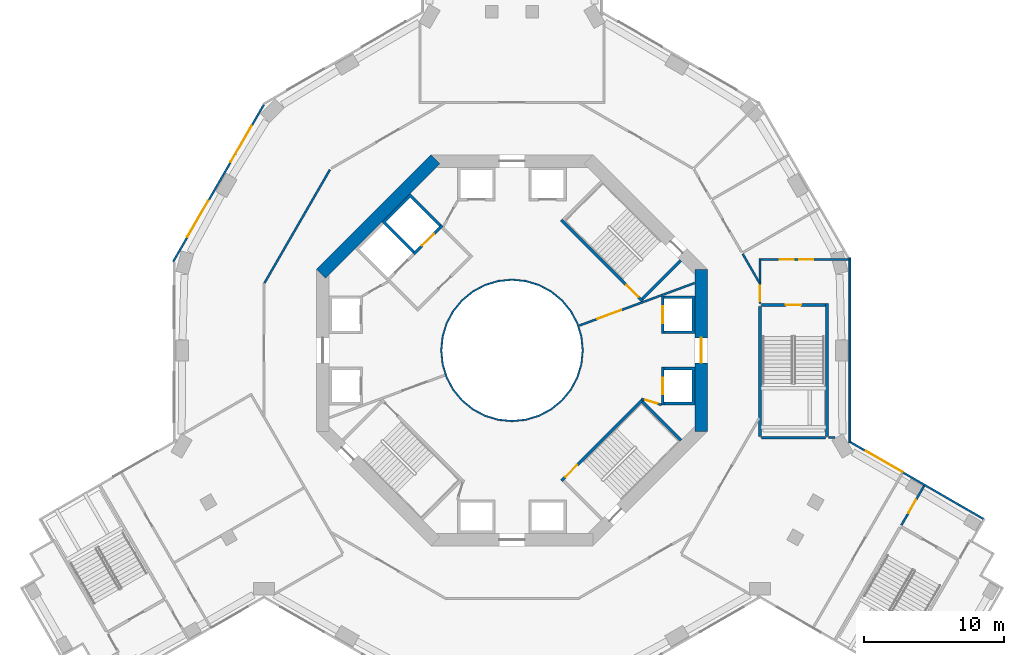
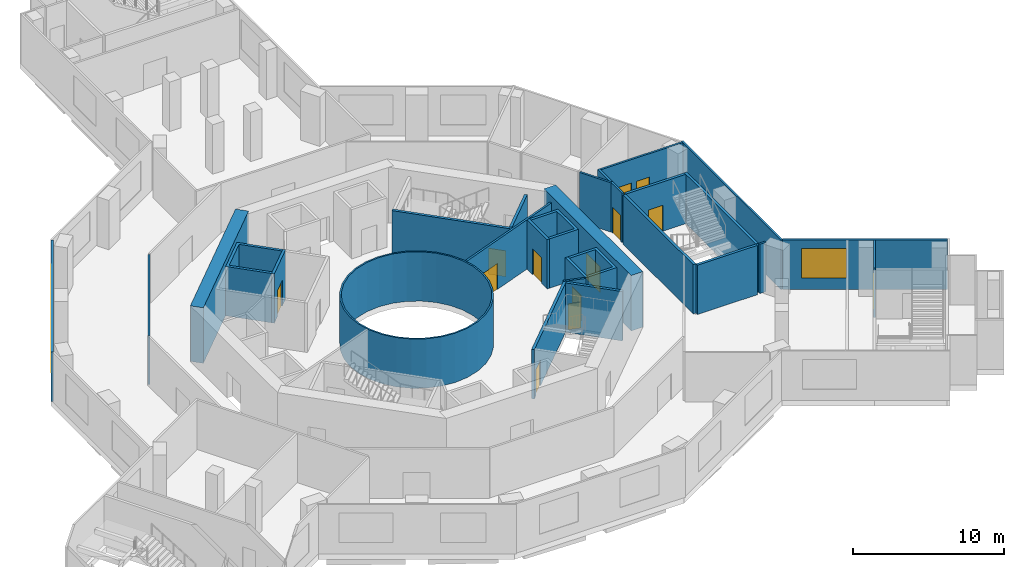
# One storey, part 5 of 20: 28 walls, 13 doors, 3 windows, 16 openings.
"""IFC4 building model written with IfcOpenShell, lengths in metres."""

from ifc_helpers import new_model, si_unit, direction, frame, frame_2d, origin, place, context, subcontext, project, spatial, polyline, rectangle, outline, extrude, material, layer, layer_set, type_object, element, fill, save


model = new_model("IFC4")

# Units and contexts
model_context = context("Model", 3, precision=1e-05, world=origin(), true_north=direction((0.0, 1.0)))
body_context = subcontext(model_context, "Body", "Model", "MODEL_VIEW")
ifc_project = project(units=[si_unit("LENGTHUNIT", "METRE"), si_unit("AREAUNIT", "SQUARE_METRE"), si_unit("VOLUMEUNIT", "CUBIC_METRE"), si_unit("PLANEANGLEUNIT", "RADIAN"), si_unit("MASSUNIT", "GRAM", prefix="KILO")], contexts=[model_context])

# Site, building, storey
site_placement = place(None, origin())
site = spatial("IfcSite", under=ifc_project, at=site_placement, CompositionType="ELEMENT")
building_placement = place(site_placement, origin())
building = spatial("IfcBuilding", under=site, at=building_placement, Name="Verdalira Terraces Hotel", CompositionType="ELEMENT")
storey_placement = place(building_placement, frame((0.0, 0.0, 23.5)))
storey = spatial("IfcBuildingStorey", under=building, at=storey_placement, Name="L04", CompositionType="ELEMENT", Elevation=23.5)

# Walls
ifc_material_1 = material(Name="Fire-resisting glass EI 180", Category="glass")
ifc_layer_1 = layer(ifc_material_1, 0.1201171875)
ifc_layer_set_1 = layer_set([ifc_layer_1], Name="Atrium fire screen 120 mm")
wall_type_1 = type_object("IfcWallType", Name="Atrium fire screen 120 mm", PredefinedType="SOLIDWALL", material=ifc_layer_set_1)
wall_1_placement = place(storey_placement, origin())
element("IfcWall", 1, at=wall_1_placement, inside=storey, type_object=wall_type_1, Name="Atrium fire screen", PredefinedType="SOLIDWALL", context=body_context, shape_type="SweptSolid", body=[
    extrude(outline(polyline([(5.021484, -0.998779), (4.730225, -1.959229), (4.25708, -2.844482), (3.620361, -3.620361), (2.844482, -4.25708), (1.959229, -4.730225), (0.998779, -5.021484), (0.0, -5.120117), (-0.998779, -5.021484), (-1.959229, -4.730225), (-2.844482, -4.25708), (-3.620361, -3.620361), (-4.25708, -2.844482), (-4.730225, -1.959229), (-5.021484, -0.998779), (-5.120117, 0.0), (-5.021484, 0.998779), (-4.730225, 1.959229), (-4.25708, 2.844482), (-3.620361, 3.620361), (-2.844482, 4.25708), (-1.959229, 4.730225), (-0.998779, 5.021484), (0.0, 5.120117), (0.998779, 5.021484), (1.959229, 4.730225), (2.844482, 4.25708), (3.620361, 3.620361), (4.25708, 2.844482), (4.730225, 1.959229), (5.021484, 0.998779), (5.120117, 0.0), (5.021484, -0.998779)]), holes=[polyline([(4.903809, 0.975586), (4.619385, 1.91333), (4.157227, 2.777832), (3.5354, 3.5354), (2.777832, 4.157227), (1.91333, 4.619385), (0.975586, 4.903809), (0.0, 5.0), (-0.975586, 4.903809), (-1.91333, 4.619385), (-2.777832, 4.157227), (-3.5354, 3.5354), (-4.157227, 2.777832), (-4.619385, 1.91333), (-4.903809, 0.975586), (-5.0, 0.0), (-4.903809, -0.975586), (-4.619385, -1.91333), (-4.157227, -2.777832), (-3.5354, -3.5354), (-2.777832, -4.157227), (-1.91333, -4.619385), (-0.975586, -4.903809), (0.0, -5.0), (0.975586, -4.903809), (1.91333, -4.619385), (2.777832, -4.157227), (3.5354, -3.5354), (4.157227, -2.777832), (4.619385, -1.91333), (4.903809, -0.975586), (5.0, 0.0), (4.903809, 0.975586)])]), origin(), (0.0, 0.0, 1.0), 4.0),
])
ifc_material_2 = material(Name="Concrete C50", Category="concrete")
ifc_layer_2 = layer(ifc_material_2, 0.199951171875)
ifc_layer_set_2 = layer_set([ifc_layer_2], Name="Core RC wall 200 C50")
wall_type_2 = type_object("IfcWallType", Name="Core RC wall 200 C50", PredefinedType="SOLIDWALL", material=ifc_layer_set_2)
wall_2_placement = place(storey_placement, origin())
element("IfcWall", 2, at=wall_2_placement, inside=storey, type_object=wall_type_2, Name="L04 shaft wall E1", PredefinedType="SOLIDWALL", context=body_context, shape_type="SweptSolid", body=[
    extrude(outline(polyline([(13.100098, -3.899902), (10.899902, -3.899902), (10.899902, -3.699951), (12.899902, -3.699951), (12.899902, -1.399902), (10.899902, -1.399902), (10.899902, -1.199951), (13.100098, -1.199951), (13.100098, -3.899902)])), origin(), (0.0, 0.0, 1.0), 4.0),
])

# Wall, opening, door
wall_3_placement = place(storey_placement, frame((10.800049, -1.199951, 0.0), z_axis=(0.0, 0.0, 1.0), x_axis=(0.0, -1.0, 0.0)))
wall_3 = element("IfcWall", 3, at=wall_3_placement, inside=storey, type_object=wall_type_2, Name="L04 shaft front wall E1", PredefinedType="SOLIDWALL", context=body_context, shape_type="SweptSolid", body=[
    extrude(rectangle(XDim=2.699951, YDim=0.199951, at=frame_2d((1.350098, 0.0))), origin(), (0.0, 0.0, 1.0), 4.0),
])
opening_1_placement = place(wall_3_placement, frame((0.75, 0.0, 0.0)))
opening_1 = element("IfcOpeningElement", 4, at=opening_1_placement, cuts=wall_3, Name="Opening LD-L04-801", PredefinedType="OPENING", context=body_context, shape_type="SweptSolid", body=[
    extrude(rectangle(XDim=1.199951, YDim=2.100098, at=frame_2d((0.600098, 1.050049))), frame((0.0, 0.109863, 0.0), z_axis=(0.0, -1.0, 0.0), x_axis=(1.0, 0.0, 0.0)), (0.0, 0.0, 1.0), 0.219971),
])
ifc_material_3 = material(Name="Stainless steel", Category="steel")
door_type_1 = type_object("IfcDoorType", Name="Landing door 1200 x 2100", OperationType="NOTDEFINED", PredefinedType="DOOR", material=ifc_material_3)
door_1_placement = place(opening_1_placement, origin())
door_1 = element("IfcDoor", 5, at=door_1_placement, inside=storey, type_object=door_type_1, Name="Lift landing door LR1 L04", OperationType="DOUBLE_DOOR_SLIDING", OverallHeight=2.10009765625, OverallWidth=1.199951171875, PredefinedType="DOOR", context=body_context, shape_type="SweptSolid", body=[
    extrude(rectangle(XDim=1.199951, YDim=2.100098, at=frame_2d((0.600098, 1.050049))), frame((0.0, 0.024902, 0.0), z_axis=(0.0, -1.0, 0.0), x_axis=(1.0, 0.0, 0.0)), (0.0, 0.0, 1.0), 0.050049),
])
fill(opening_1, door_1)

# Wall
wall_4_placement = place(storey_placement, origin())
element("IfcWall", 6, at=wall_4_placement, inside=storey, type_object=wall_type_2, Name="L04 shaft wall E2", PredefinedType="SOLIDWALL", context=body_context, shape_type="SweptSolid", body=[
    extrude(outline(polyline([(13.100098, 3.899902), (13.100098, 1.199951), (10.899902, 1.199951), (10.899902, 1.399902), (12.899902, 1.399902), (12.899902, 3.699951), (10.899902, 3.699951), (10.899902, 3.899902), (13.100098, 3.899902)])), origin(), (0.0, 0.0, 1.0), 4.0),
])

# Wall, opening, door
wall_5_placement = place(storey_placement, frame((10.800049, 1.199951, 0.0), z_axis=(0.0, 0.0, 1.0), x_axis=(0.0, 1.0, 0.0)))
wall_5 = element("IfcWall", 7, at=wall_5_placement, inside=storey, type_object=wall_type_2, Name="L04 shaft front wall E2", PredefinedType="SOLIDWALL", context=body_context, shape_type="SweptSolid", body=[
    extrude(rectangle(XDim=2.699951, YDim=0.199951, at=frame_2d((1.350098, 0.0))), origin(), (0.0, 0.0, 1.0), 4.0),
])
opening_2_placement = place(wall_5_placement, frame((0.75, 0.0, 0.0)))
opening_2 = element("IfcOpeningElement", 8, at=opening_2_placement, cuts=wall_5, Name="Opening LD-L04-802", PredefinedType="OPENING", context=body_context, shape_type="SweptSolid", body=[
    extrude(rectangle(XDim=1.199951, YDim=2.100098, at=frame_2d((0.600098, 1.050049))), frame((0.0, 0.109863, 0.0), z_axis=(0.0, -1.0, 0.0), x_axis=(1.0, 0.0, 0.0)), (0.0, 0.0, 1.0), 0.219971),
])
door_2_placement = place(opening_2_placement, origin())
door_2 = element("IfcDoor", 9, at=door_2_placement, inside=storey, type_object=door_type_1, Name="Lift landing door LR2 L04", OperationType="DOUBLE_DOOR_SLIDING", OverallHeight=2.10009765625, OverallWidth=1.199951171875, PredefinedType="DOOR", context=body_context, shape_type="SweptSolid", body=[
    extrude(rectangle(XDim=1.199951, YDim=2.100098, at=frame_2d((0.600098, 1.050049))), frame((0.0, 0.024902, 0.0), z_axis=(0.0, -1.0, 0.0), x_axis=(1.0, 0.0, 0.0)), (0.0, 0.0, 1.0), 0.050049),
])
fill(opening_2, door_2)

# Wall
wall_6_placement = place(storey_placement, origin())
element("IfcWall", 10, at=wall_6_placement, inside=storey, type_object=wall_type_2, Name="L04 shaft wall F1", PredefinedType="SOLIDWALL", context=body_context, shape_type="SweptSolid", body=[
    extrude(outline(polyline([(-9.33374, 9.192383), (-7.283203, 11.24292), (-5.055908, 9.015625), (-5.197266, 8.874268), (-7.283203, 10.960205), (-9.051025, 9.192383), (-6.965088, 7.106445), (-7.106445, 6.965088), (-9.33374, 9.192383)])), origin(), (0.0, 0.0, 1.0), 4.0),
])

# Wall, opening, door
wall_7_placement = place(storey_placement, frame((-4.985107, 8.944824, 0.0), z_axis=(0.0, 0.0, 1.0), x_axis=(-0.707106781, -0.707106781, 0.0)))
wall_7 = element("IfcWall", 11, at=wall_7_placement, inside=storey, type_object=wall_type_2, Name="L04 shaft front wall F1", PredefinedType="SOLIDWALL", context=body_context, shape_type="SweptSolid", body=[
    extrude(rectangle(XDim=2.899902, YDim=0.199951, at=frame_2d((1.449951, 0.0))), origin(), (0.0, 0.0, 1.0), 4.0),
])
opening_3_placement = place(wall_7_placement, frame((0.850098, 0.0, 0.0)))
opening_3 = element("IfcOpeningElement", 12, at=opening_3_placement, cuts=wall_7, Name="Opening LD-L04-807", PredefinedType="OPENING", context=body_context, shape_type="SweptSolid", body=[
    extrude(rectangle(XDim=1.199951, YDim=2.100098, at=frame_2d((0.600098, 1.050049))), frame((0.0, 0.109863, 0.0), z_axis=(0.0, -1.0, 0.0), x_axis=(1.0, 0.0, 0.0)), (0.0, 0.0, 1.0), 0.219971),
])
door_3_placement = place(opening_3_placement, origin())
door_3 = element("IfcDoor", 13, at=door_3_placement, inside=storey, type_object=door_type_1, Name="Lift landing door LF11 L04", OperationType="DOUBLE_DOOR_SLIDING", OverallHeight=2.10009765625, OverallWidth=1.199951171875, PredefinedType="DOOR", context=body_context, shape_type="SweptSolid", body=[
    extrude(rectangle(XDim=1.199951, YDim=2.100098, at=frame_2d((0.600098, 1.050049))), frame((0.0, 0.024902, 0.0), z_axis=(0.0, -1.0, 0.0), x_axis=(1.0, 0.0, 0.0)), (0.0, 0.0, 1.0), 0.050049),
])
fill(opening_3, door_3)

wall_8_placement = place(storey_placement, frame((3.5354, 9.33374, 0.0), z_axis=(0.0, 0.0, 1.0), x_axis=(0.707106781, -0.707106781, 0.0)))
wall_8 = element("IfcWall", 14, at=wall_8_placement, inside=storey, type_object=wall_type_2, Name="L04 stair ST1 front wall", PredefinedType="SOLIDWALL", context=body_context, shape_type="SweptSolid", body=[
    extrude(rectangle(XDim=8.200195, YDim=0.199951, at=frame_2d((4.100098, 0.0))), origin(), (0.0, 0.0, 1.0), 4.0),
])
opening_4_placement = place(wall_8_placement, frame((6.600098, 0.0, 0.0)))
opening_4 = element("IfcOpeningElement", 15, at=opening_4_placement, cuts=wall_8, Name="Opening L04-809", PredefinedType="OPENING", context=body_context, shape_type="SweptSolid", body=[
    extrude(rectangle(XDim=1.199951, YDim=2.100098, at=frame_2d((0.600098, 1.050049))), frame((0.0, 0.109863, 0.0), z_axis=(0.0, -1.0, 0.0), x_axis=(1.0, 0.0, 0.0)), (0.0, 0.0, 1.0), 0.219971),
])
ifc_material_4 = material(Name="Steel fire door", Category="steel")
door_type_2 = type_object("IfcDoorType", Name="Stair door 1200 x 2100", OperationType="NOTDEFINED", PredefinedType="DOOR", material=ifc_material_4)
door_4_placement = place(opening_4_placement, origin())
door_4 = element("IfcDoor", 16, at=door_4_placement, inside=storey, type_object=door_type_2, Name="Stair door ST1 L04", OperationType="SINGLE_SWING_RIGHT", OverallHeight=2.10009765625, OverallWidth=1.199951171875, PredefinedType="DOOR", context=body_context, shape_type="SweptSolid", body=[
    extrude(rectangle(XDim=1.199951, YDim=2.100098, at=frame_2d((0.600098, 1.050049))), frame((0.0, 0.024902, 0.0), z_axis=(0.0, -1.0, 0.0), x_axis=(1.0, 0.0, 0.0)), (0.0, 0.0, 1.0), 0.050049),
])
fill(opening_4, door_4)

# Wall
wall_9_placement = place(storey_placement, frame((9.33374, 3.677002, 0.0), z_axis=(0.0, 0.0, 1.0), x_axis=(0.707106781, 0.707106781, 0.0)))
element("IfcWall", 17, at=wall_9_placement, inside=storey, type_object=wall_type_2, Name="L04 stair ST1 end wall 1", PredefinedType="SOLIDWALL", context=body_context, shape_type="SweptSolid", body=[
    extrude(rectangle(XDim=3.900146, YDim=0.199951, at=frame_2d((1.950195, 0.0))), origin(), (0.0, 0.0, 1.0), 4.0),
])

# Wall, opening, door
wall_10_placement = place(storey_placement, frame((9.33374, -3.5354, 0.0), z_axis=(0.0, 0.0, 1.0), x_axis=(-0.707106781, -0.707106781, 0.0)))
wall_10 = element("IfcWall", 18, at=wall_10_placement, inside=storey, type_object=wall_type_2, Name="L04 stair ST3 front wall", PredefinedType="SOLIDWALL", context=body_context, shape_type="SweptSolid", body=[
    extrude(rectangle(XDim=8.200195, YDim=0.199951, at=frame_2d((4.100098, 0.0))), origin(), (0.0, 0.0, 1.0), 4.0),
])
opening_5_placement = place(wall_10_placement, frame((6.600098, 0.0, 0.0)))
opening_5 = element("IfcOpeningElement", 19, at=opening_5_placement, cuts=wall_10, Name="Opening L04-811", PredefinedType="OPENING", context=body_context, shape_type="SweptSolid", body=[
    extrude(rectangle(XDim=1.199951, YDim=2.100098, at=frame_2d((0.600098, 1.050049))), frame((0.0, 0.109863, 0.0), z_axis=(0.0, -1.0, 0.0), x_axis=(1.0, 0.0, 0.0)), (0.0, 0.0, 1.0), 0.219971),
])
door_5_placement = place(opening_5_placement, origin())
door_5 = element("IfcDoor", 20, at=door_5_placement, inside=storey, type_object=door_type_2, Name="Stair door ST3 L04", OperationType="SINGLE_SWING_RIGHT", OverallHeight=2.10009765625, OverallWidth=1.199951171875, PredefinedType="DOOR", context=body_context, shape_type="SweptSolid", body=[
    extrude(rectangle(XDim=1.199951, YDim=2.100098, at=frame_2d((0.600098, 1.050049))), frame((0.0, 0.024902, 0.0), z_axis=(0.0, -1.0, 0.0), x_axis=(1.0, 0.0, 0.0)), (0.0, 0.0, 1.0), 0.050049),
])
fill(opening_5, door_5)

# Wall
wall_11_placement = place(storey_placement, frame((9.33374, -3.677002, 0.0), z_axis=(0.0, 0.0, 1.0), x_axis=(0.707106781, -0.707106781, 0.0)))
element("IfcWall", 21, at=wall_11_placement, inside=storey, type_object=wall_type_2, Name="L04 stair ST3 end wall 2", PredefinedType="SOLIDWALL", context=body_context, shape_type="SweptSolid", body=[
    extrude(rectangle(XDim=3.900146, YDim=0.199951, at=frame_2d((1.950195, 0.0))), origin(), (0.0, 0.0, 1.0), 4.0),
])

# Wall, opening, door
ifc_material_5 = material(Name="Gypsum board partition")
ifc_layer_3 = layer(ifc_material_5, 0.14990234375)
ifc_layer_set_3 = layer_set([ifc_layer_3], Name="Core partition 150 mm")
wall_type_3 = type_object("IfcWallType", Name="Core partition 150 mm", PredefinedType="PARTITIONING", material=ifc_layer_set_3)
wall_12_placement = place(storey_placement, frame((9.263184, -3.464844, 0.0), z_axis=(0.0, 0.0, 1.0), x_axis=(0.957084567, -0.289808785, 0.0)))
wall_12 = element("IfcWall", 22, at=wall_12_placement, inside=storey, type_object=wall_type_3, Name="Room partition L04", PredefinedType="PARTITIONING", context=body_context, shape_type="SweptSolid", body=[
    extrude(rectangle(XDim=1.501221, YDim=0.149902, at=frame_2d((0.750488, 0.0))), origin(), (0.0, 0.0, 1.0), 4.0),
])
opening_6_placement = place(wall_12_placement, frame((0.300781, 0.0, 0.0)))
opening_6 = element("IfcOpeningElement", 23, at=opening_6_placement, cuts=wall_12, Name="Opening L04-823", PredefinedType="OPENING", context=body_context, shape_type="SweptSolid", body=[
    extrude(rectangle(XDim=0.899902, YDim=2.100098, at=frame_2d((0.449951, 1.050049))), frame((0.0, 0.084961, 0.0), z_axis=(0.0, -1.0, 0.0), x_axis=(1.0, 0.0, 0.0)), (0.0, 0.0, 1.0), 0.169922),
])
ifc_material_6 = material(Name="Steel fire door", Category="steel")
door_type_3 = type_object("IfcDoorType", Name="Core room door 900 x 2100", OperationType="NOTDEFINED", PredefinedType="DOOR", material=ifc_material_6)
door_6_placement = place(opening_6_placement, origin())
door_6 = element("IfcDoor", 24, at=door_6_placement, inside=storey, type_object=door_type_3, Name="Door L04 room7", OperationType="SINGLE_SWING_LEFT", OverallHeight=2.10009765625, OverallWidth=0.89990234375, PredefinedType="DOOR", context=body_context, shape_type="SweptSolid", body=[
    extrude(rectangle(XDim=0.899902, YDim=2.100098, at=frame_2d((0.449951, 1.050049))), frame((0.0, 0.024902, 0.0), z_axis=(0.0, -1.0, 0.0), x_axis=(1.0, 0.0, 0.0)), (0.0, 0.0, 1.0), 0.050049),
])
fill(opening_6, door_6)

wall_13_placement = place(storey_placement, frame((4.812988, 1.775635, 0.0), z_axis=(0.0, 0.0, 1.0), x_axis=(0.93819293, 0.346112737, 0.0)))
wall_13 = element("IfcWall", 25, at=wall_13_placement, inside=storey, type_object=wall_type_3, Name="Gallery fire partition L04", PredefinedType="PARTITIONING", context=body_context, shape_type="SweptSolid", body=[
    extrude(rectangle(XDim=8.803223, YDim=0.149902, at=frame_2d((4.401611, 0.0))), origin(), (0.0, 0.0, 1.0), 4.0),
])
opening_7_placement = place(wall_13_placement, frame((1.399902, 0.0, 0.0)))
opening_7 = element("IfcOpeningElement", 26, at=opening_7_placement, cuts=wall_13, Name="Opening L04-824", PredefinedType="OPENING", context=body_context, shape_type="SweptSolid", body=[
    extrude(rectangle(XDim=1.800049, YDim=2.100098, at=frame_2d((0.899902, 1.050049))), frame((0.0, 0.084961, 0.0), z_axis=(0.0, -1.0, 0.0), x_axis=(1.0, 0.0, 0.0)), (0.0, 0.0, 1.0), 0.169922),
])
ifc_material_7 = material(Name="Steel fire door", Category="steel")
door_type_4 = type_object("IfcDoorType", Name="Gallery fire door pair 1800 x 2100", OperationType="NOTDEFINED", PredefinedType="DOOR", material=ifc_material_7)
door_7_placement = place(opening_7_placement, origin())
door_7 = element("IfcDoor", 27, at=door_7_placement, inside=storey, type_object=door_type_4, Name="Door L04 split0", OperationType="DOUBLE_DOOR_SINGLE_SWING", OverallHeight=2.10009765625, OverallWidth=1.800048828125, PredefinedType="DOOR", context=body_context, shape_type="SweptSolid", body=[
    extrude(rectangle(XDim=1.800049, YDim=2.100098, at=frame_2d((0.899902, 1.050049))), frame((0.0, 0.024902, 0.0), z_axis=(0.0, -1.0, 0.0), x_axis=(1.0, 0.0, 0.0)), (0.0, 0.0, 1.0), 0.050049),
])
fill(opening_7, door_7)

ifc_material_8 = material(Name="Concrete C70", Category="concrete")
ifc_layer_4 = layer(ifc_material_8, 0.89990234375)
ifc_layer_set_4 = layer_set([ifc_layer_4], Name="Core wall 900 C70")
wall_type_4 = type_object("IfcWallType", Name="Core wall 900 C70", PredefinedType="SHEAR", material=ifc_layer_set_4)
wall_14_placement = place(storey_placement, frame((13.550049, -5.799072, 0.0), z_axis=(0.0, 0.0, 1.0), x_axis=(0.0, 1.0, 0.0)))
wall_14 = element("IfcWall", 28, at=wall_14_placement, inside=storey, type_object=wall_type_4, Name="Core wall CW-L04-1", PredefinedType="SHEAR", context=body_context, shape_type="SweptSolid", body=[
    extrude(rectangle(XDim=11.598145, YDim=0.899902, at=frame_2d((5.799072, 0.0))), origin(), (0.0, 0.0, 1.0), 4.5),
])
opening_8_placement = place(wall_14_placement, frame((4.898926, 0.0, 0.0)))
opening_8 = element("IfcOpeningElement", 29, at=opening_8_placement, cuts=wall_14, Name="Opening L04-812", PredefinedType="OPENING", context=body_context, shape_type="SweptSolid", body=[
    extrude(rectangle(XDim=1.800049, YDim=2.100098, at=frame_2d((0.899902, 1.050049))), frame((0.0, 0.459961, 0.0), z_axis=(0.0, -1.0, 0.0), x_axis=(1.0, 0.0, 0.0)), (0.0, 0.0, 1.0), 0.919922),
])
ifc_material_9 = material(Name="Steel fire door", Category="steel")
door_type_5 = type_object("IfcDoorType", Name="Core entry door pair 1800 x 2100", OperationType="NOTDEFINED", PredefinedType="DOOR", material=ifc_material_9)
door_8_placement = place(opening_8_placement, origin())
door_8 = element("IfcDoor", 30, at=door_8_placement, inside=storey, type_object=door_type_5, Name="Core entry door L04 0", OperationType="DOUBLE_DOOR_SINGLE_SWING", OverallHeight=2.10009765625, OverallWidth=1.800048828125, PredefinedType="DOOR", context=body_context, shape_type="SweptSolid", body=[
    extrude(rectangle(XDim=1.800049, YDim=2.100098, at=frame_2d((0.899902, 1.050049))), frame((0.0, 0.024902, 0.0), z_axis=(0.0, -1.0, 0.0), x_axis=(1.0, 0.0, 0.0)), (0.0, 0.0, 1.0), 0.050049),
])
fill(opening_8, door_8)

# Walls
wall_15_placement = place(storey_placement, frame((-5.480713, 13.681885, 0.0), z_axis=(0.0, 0.0, 1.0), x_axis=(-0.707106781, -0.707106781, 0.0)))
element("IfcWall", 31, at=wall_15_placement, inside=storey, type_object=wall_type_4, Name="Core wall CW-L04-4", PredefinedType="SHEAR", context=body_context, shape_type="SweptSolid", body=[
    extrude(rectangle(XDim=11.598145, YDim=0.899902, at=frame_2d((5.799072, 0.0))), origin(), (0.0, 0.0, 1.0), 4.5),
])
ifc_material_10 = material(Name="Gypsum board partition on steel stud", Category="steel")
ifc_layer_5 = layer(ifc_material_10, 0.14990234375)
ifc_layer_set_5 = layer_set([ifc_layer_5], Name="Fire-rated partition 150 mm")
wall_type_5 = type_object("IfcWallType", Name="Fire-rated partition 150 mm", PredefinedType="PARTITIONING", material=ifc_layer_set_5)
wall_16_placement = place(storey_placement, frame((-17.720703, 4.823242, 0.0), z_axis=(0.0, 0.0, 1.0), x_axis=(0.499979668, 0.866037142, 0.0)))
element("IfcWall", 32, at=wall_16_placement, inside=storey, type_object=wall_type_5, Name="Partition", PredefinedType="PARTITIONING", context=body_context, shape_type="SweptSolid", body=[
    extrude(rectangle(XDim=9.366699, YDim=0.149902, at=frame_2d((4.68335, 0.0))), origin(), (0.0, 0.0, 1.0), 4.0),
])
wall_17_placement = place(storey_placement, frame((16.516602, 6.90918, 0.0), z_axis=(0.0, 0.0, 1.0), x_axis=(0.499933044, -0.866064057, 0.0)))
element("IfcWall", 33, at=wall_17_placement, inside=storey, type_object=wall_type_5, Name="Partition", PredefinedType="PARTITIONING", context=body_context, shape_type="SweptSolid", body=[
    extrude(rectangle(XDim=2.408447, YDim=0.149902, at=frame_2d((1.204102, 0.0))), origin(), (0.0, 0.0, 1.0), 4.0),
])

# Wall, opening, door
wall_18_placement = place(storey_placement, frame((17.758301, 3.349854, 0.0), z_axis=(0.0, 0.0, 1.0), x_axis=(0.0, 1.0, 0.0)))
wall_18 = element("IfcWall", 34, at=wall_18_placement, inside=storey, type_object=wall_type_5, Name="Partition", PredefinedType="PARTITIONING", context=body_context, shape_type="SweptSolid", body=[
    extrude(rectangle(XDim=3.225098, YDim=0.149902, at=frame_2d((1.612549, 0.0))), origin(), (0.0, 0.0, 1.0), 4.0),
])
opening_9_placement = place(wall_18_placement, frame((0.175293, 0.0, 0.0)))
opening_9 = element("IfcOpeningElement", 35, at=opening_9_placement, cuts=wall_18, Name="Opening L04-D19", PredefinedType="OPENING", context=body_context, shape_type="SweptSolid", body=[
    extrude(rectangle(XDim=1.100098, YDim=2.100098, at=frame_2d((0.550049, 1.050049))), frame((0.0, 0.084961, 0.0), z_axis=(0.0, -1.0, 0.0), x_axis=(1.0, 0.0, 0.0)), (0.0, 0.0, 1.0), 0.169922),
])
ifc_material_11 = material(Name="Steel fire door", Category="steel")
door_type_6 = type_object("IfcDoorType", Name="Stair door 1100 x 2100", OperationType="SINGLE_SWING_LEFT", PredefinedType="DOOR", material=ifc_material_11)
door_9_placement = place(opening_9_placement, origin())
door_9 = element("IfcDoor", 36, at=door_9_placement, inside=storey, type_object=door_type_6, Name="Stair door Ring corridor", OperationType="SINGLE_SWING_LEFT", OverallHeight=2.10009765625, OverallWidth=1.10009765625, PredefinedType="DOOR", context=body_context, shape_type="SweptSolid", body=[
    extrude(rectangle(XDim=1.100098, YDim=2.100098, at=frame_2d((0.550049, 1.050049))), frame((0.0, 0.024902, 0.0), z_axis=(0.0, -1.0, 0.0), x_axis=(1.0, 0.0, 0.0)), (0.0, 0.0, 1.0), 0.050049),
])
fill(opening_9, door_9)

# Wall
wall_19_placement = place(storey_placement, frame((22.658203, -6.25, 0.0), z_axis=(0.0, 0.0, 1.0), x_axis=(1.0, 0.0, 0.0)))
element("IfcWall", 37, at=wall_19_placement, inside=storey, type_object=wall_type_5, Name="Partition", PredefinedType="PARTITIONING", context=body_context, shape_type="SweptSolid", body=[
    extrude(rectangle(XDim=0.473145, YDim=0.149902, at=frame_2d((0.236572, 0.0))), origin(), (0.0, 0.0, 1.0), 4.0),
])

# Wall, openings, doors
wall_20_placement = place(storey_placement, frame((24.118408, 6.5, 0.0), z_axis=(0.0, 0.0, 1.0), x_axis=(-1.0, 0.0, 0.0)))
wall_20 = element("IfcWall", 38, at=wall_20_placement, inside=storey, type_object=wall_type_5, Name="Partition", PredefinedType="PARTITIONING", context=body_context, shape_type="SweptSolid", body=[
    extrude(rectangle(XDim=6.285156, YDim=0.149902, at=frame_2d((3.142578, 0.0))), origin(), (0.0, 0.0, 1.0), 4.0),
])
opening_10_placement = place(wall_20_placement, frame((2.550049, 0.0, 0.0)))
opening_10 = element("IfcOpeningElement", 39, at=opening_10_placement, cuts=wall_20, Name="Opening L04-D21", PredefinedType="OPENING", context=body_context, shape_type="SweptSolid", body=[
    extrude(rectangle(XDim=1.0, YDim=2.100098, at=frame_2d((0.5, 1.050049))), frame((0.0, 0.084961, 0.0), z_axis=(0.0, -1.0, 0.0), x_axis=(1.0, 0.0, 0.0)), (0.0, 0.0, 1.0), 0.169922),
])
opening_11_placement = place(wall_20_placement, frame((3.949951, 0.0, 0.0)))
opening_11 = element("IfcOpeningElement", 40, at=opening_11_placement, cuts=wall_20, Name="Opening L04-D22", PredefinedType="OPENING", context=body_context, shape_type="SweptSolid", body=[
    extrude(rectangle(XDim=1.0, YDim=2.100098, at=frame_2d((0.5, 1.050049))), frame((0.0, 0.084961, 0.0), z_axis=(0.0, -1.0, 0.0), x_axis=(1.0, 0.0, 0.0)), (0.0, 0.0, 1.0), 0.169922),
])
ifc_material_12 = material(Name="Steel fire door", Category="steel")
door_type_7 = type_object("IfcDoorType", Name="Fire door 1000 x 2100", OperationType="SINGLE_SWING_LEFT", PredefinedType="DOOR", material=ifc_material_12)
door_10_placement = place(opening_10_placement, origin())
door_10 = element("IfcDoor", 41, at=door_10_placement, inside=storey, type_object=door_type_7, Name="Stair door Women's WC", OperationType="SINGLE_SWING_LEFT", OverallHeight=2.10009765625, OverallWidth=1.0, PredefinedType="DOOR", context=body_context, shape_type="SweptSolid", body=[
    extrude(rectangle(XDim=1.0, YDim=2.100098, at=frame_2d((0.5, 1.050049))), frame((0.0, 0.024902, 0.0), z_axis=(0.0, -1.0, 0.0), x_axis=(1.0, 0.0, 0.0)), (0.0, 0.0, 1.0), 0.050049),
])
fill(opening_10, door_10)
door_11_placement = place(opening_11_placement, origin())
door_11 = element("IfcDoor", 42, at=door_11_placement, inside=storey, type_object=door_type_7, Name="Stair door Stair lobby PS4", OperationType="SINGLE_SWING_RIGHT", OverallHeight=2.10009765625, OverallWidth=1.0, PredefinedType="DOOR", context=body_context, shape_type="SweptSolid", body=[
    extrude(rectangle(XDim=1.0, YDim=2.100098, at=frame_2d((0.5, 1.050049))), frame((0.0, 0.024902, 0.0), z_axis=(0.0, -1.0, 0.0), x_axis=(1.0, 0.0, 0.0)), (0.0, 0.0, 1.0), 0.050049),
])
fill(opening_11, door_11)

# Wall, opening, door
wall_21_placement = place(storey_placement, frame((27.877197, -12.515381, 0.0), z_axis=(0.0, 0.0, 1.0), x_axis=(0.499973122, 0.866040921, 0.0)))
wall_21 = element("IfcWall", 43, at=wall_21_placement, inside=storey, type_object=wall_type_5, Name="Partition", PredefinedType="PARTITIONING", context=body_context, shape_type="SweptSolid", body=[
    extrude(rectangle(XDim=3.26001, YDim=0.149902, at=frame_2d((1.629883, 0.0))), origin(), (0.0, 0.0, 1.0), 4.0),
])
opening_12_placement = place(wall_21_placement, frame((1.010254, 0.0, 0.0)))
opening_12 = element("IfcOpeningElement", 44, at=opening_12_placement, cuts=wall_21, Name="Opening L04-D24", PredefinedType="OPENING", context=body_context, shape_type="SweptSolid", body=[
    extrude(rectangle(XDim=1.100098, YDim=2.100098, at=frame_2d((0.550049, 1.050049))), frame((0.0, 0.084961, 0.0), z_axis=(0.0, -1.0, 0.0), x_axis=(1.0, 0.0, 0.0)), (0.0, 0.0, 1.0), 0.169922),
])
door_12_placement = place(opening_12_placement, origin())
door_12 = element("IfcDoor", 45, at=door_12_placement, inside=storey, type_object=door_type_6, Name="Stair door Stair approach corridor", OperationType="SINGLE_SWING_RIGHT", OverallHeight=2.10009765625, OverallWidth=1.10009765625, PredefinedType="DOOR", context=body_context, shape_type="SweptSolid", body=[
    extrude(rectangle(XDim=1.100098, YDim=2.100098, at=frame_2d((0.550049, 1.050049))), frame((0.0, 0.024902, 0.0), z_axis=(0.0, -1.0, 0.0), x_axis=(1.0, 0.0, 0.0)), (0.0, 0.0, 1.0), 0.050049),
])
fill(opening_12, door_12)

# Walls
ifc_material_13 = material(Name="Concrete C50", Category="concrete")
ifc_layer_6 = layer(ifc_material_13, 0.199951171875)
ifc_layer_set_6 = layer_set([ifc_layer_6], Name="Stair enclosure wall 200 mm")
wall_type_6 = type_object("IfcWallType", Name="Stair enclosure wall 200 mm", PredefinedType="SOLIDWALL", material=ifc_layer_set_6)
wall_22_placement = place(storey_placement, frame((17.858398, -6.25, 0.0), z_axis=(0.0, 0.0, 1.0), x_axis=(1.0, 0.0, 0.0)))
element("IfcWall", 46, at=wall_22_placement, inside=storey, type_object=wall_type_6, Name="Stair enclosure wall", PredefinedType="SOLIDWALL", context=body_context, shape_type="SweptSolid", body=[
    extrude(rectangle(XDim=4.600098, YDim=0.199951, at=frame_2d((2.300049, 0.0))), origin(), (0.0, 0.0, 1.0), 4.0),
])
wall_23_placement = place(storey_placement, frame((17.758301, 3.150146, 0.0), z_axis=(0.0, 0.0, 1.0), x_axis=(0.0, -1.0, 0.0)))
element("IfcWall", 47, at=wall_23_placement, inside=storey, type_object=wall_type_6, Name="Stair enclosure wall", PredefinedType="SOLIDWALL", context=body_context, shape_type="SweptSolid", body=[
    extrude(rectangle(XDim=9.300049, YDim=0.199951, at=frame_2d((4.649902, 0.0))), origin(), (0.0, 0.0, 1.0), 4.0),
])
wall_24_placement = place(storey_placement, frame((22.55835, -6.149902, 0.0), z_axis=(0.0, 0.0, 1.0), x_axis=(0.0, 1.0, 0.0)))
element("IfcWall", 48, at=wall_24_placement, inside=storey, type_object=wall_type_6, Name="Stair enclosure wall", PredefinedType="SOLIDWALL", context=body_context, shape_type="SweptSolid", body=[
    extrude(rectangle(XDim=9.5, YDim=0.199951, at=frame_2d((4.75, 0.0))), origin(), (0.0, 0.0, 1.0), 4.0),
])

# Wall, opening, door
wall_25_placement = place(storey_placement, frame((17.858398, 3.25, 0.0), z_axis=(0.0, 0.0, 1.0), x_axis=(1.0, 0.0, 0.0)))
wall_25 = element("IfcWall", 49, at=wall_25_placement, inside=storey, type_object=wall_type_6, Name="Stair enclosure wall", PredefinedType="SOLIDWALL", context=body_context, shape_type="SweptSolid", body=[
    extrude(rectangle(XDim=4.599854, YDim=0.199951, at=frame_2d((2.299805, 0.0))), origin(), (0.0, 0.0, 1.0), 4.0),
])
opening_13_placement = place(wall_25_placement, frame((1.75, 0.0, 0.0)))
opening_13 = element("IfcOpeningElement", 50, at=opening_13_placement, cuts=wall_25, Name="Opening L04-D20", PredefinedType="OPENING", context=body_context, shape_type="SweptSolid", body=[
    extrude(rectangle(XDim=1.100098, YDim=2.100098, at=frame_2d((0.550049, 1.050049))), frame((0.0, 0.109863, 0.0), z_axis=(0.0, -1.0, 0.0), x_axis=(1.0, 0.0, 0.0)), (0.0, 0.0, 1.0), 0.219971),
])
door_13_placement = place(opening_13_placement, origin())
door_13 = element("IfcDoor", 51, at=door_13_placement, inside=storey, type_object=door_type_6, Name="Stair door Stair lobby PS4", OperationType="SINGLE_SWING_RIGHT", OverallHeight=2.10009765625, OverallWidth=1.10009765625, PredefinedType="DOOR", context=body_context, shape_type="SweptSolid", body=[
    extrude(rectangle(XDim=1.100098, YDim=2.100098, at=frame_2d((0.550049, 1.050049))), frame((0.0, 0.024902, 0.0), z_axis=(0.0, -1.0, 0.0), x_axis=(1.0, 0.0, 0.0)), (0.0, 0.0, 1.0), 0.050049),
])
fill(opening_13, door_13)

# Wall, openings, windows
ifc_material_14 = material(Name="Terracotta cladding on steel stud backup", Category="masonry")
ifc_layer_7 = layer(ifc_material_14, 0.139892578125)
ifc_layer_set_7 = layer_set([ifc_layer_7], Name="Terracotta clad wall 140 mm")
wall_type_7 = type_object("IfcWallType", Name="Terracotta clad wall 140 mm", PredefinedType="SOLIDWALL", material=ifc_layer_set_7)
wall_26_placement = place(storey_placement, frame((-17.7771, 17.585693, 0.0), z_axis=(0.0, 0.0, 1.0), x_axis=(-0.500006139, -0.866021859, 0.0)))
wall_26 = element("IfcWall", 52, at=wall_26_placement, inside=storey, type_object=wall_type_7, Name="Podium facade wall", PredefinedType="SOLIDWALL", context=body_context, shape_type="SweptSolid", body=[
    extrude(rectangle(XDim=12.962158, YDim=0.139893, at=frame_2d((6.480957, 0.0))), origin(), (0.0, 0.0, 1.0), 4.0),
])
opening_14_placement = place(wall_26_placement, frame((1.747803, 0.0, 0.899902)))
opening_14 = element("IfcOpeningElement", 53, at=opening_14_placement, cuts=wall_26, Name="Opening WP", PredefinedType="OPENING", context=body_context, shape_type="SweptSolid", body=[
    extrude(rectangle(XDim=3.0, YDim=2.399902, at=frame_2d((1.5, 1.199951))), frame((0.0, 0.079834, 0.0), z_axis=(0.0, -1.0, 0.0), x_axis=(1.0, 0.0, 0.0)), (0.0, 0.0, 1.0), 0.159912),
])
opening_15_placement = place(wall_26_placement, frame((7.93457, 0.0, 0.899902)))
opening_15 = element("IfcOpeningElement", 54, at=opening_15_placement, cuts=wall_26, Name="Opening WP", PredefinedType="OPENING", context=body_context, shape_type="SweptSolid", body=[
    extrude(rectangle(XDim=3.0, YDim=2.399902, at=frame_2d((1.5, 1.199951))), frame((0.0, 0.079834, 0.0), z_axis=(0.0, -1.0, 0.0), x_axis=(1.0, 0.0, 0.0)), (0.0, 0.0, 1.0), 0.159912),
])
ifc_material_15 = material(Name="Clear double glazing in aluminium frame", Category="aluminium")
window_type = type_object("IfcWindowType", Name="Podium window 3000 x 2400", PartitioningType="SINGLE_PANEL", PredefinedType="WINDOW", material=ifc_material_15)
window_1_placement = place(opening_14_placement, origin())
window_1 = element("IfcWindow", 55, at=window_1_placement, inside=storey, type_object=window_type, Name="Podium window", OverallHeight=2.39990234375, OverallWidth=3.0, PartitioningType="SINGLE_PANEL", PredefinedType="WINDOW", context=body_context, shape_type="SweptSolid", body=[
    extrude(rectangle(XDim=3.0, YDim=2.399902, at=frame_2d((1.5, 1.199951))), frame((0.0, 0.030029, 0.0), z_axis=(0.0, -1.0, 0.0), x_axis=(1.0, 0.0, 0.0)), (0.0, 0.0, 1.0), 0.060059),
])
fill(opening_14, window_1)
window_2_placement = place(opening_15_placement, origin())
window_2 = element("IfcWindow", 56, at=window_2_placement, inside=storey, type_object=window_type, Name="Podium window", OverallHeight=2.39990234375, OverallWidth=3.0, PartitioningType="SINGLE_PANEL", PredefinedType="WINDOW", context=body_context, shape_type="SweptSolid", body=[
    extrude(rectangle(XDim=3.0, YDim=2.399902, at=frame_2d((1.5, 1.199951))), frame((0.0, 0.030029, 0.0), z_axis=(0.0, -1.0, 0.0), x_axis=(1.0, 0.0, 0.0)), (0.0, 0.0, 1.0), 0.060059),
])
fill(opening_15, window_2)

# Wall, opening, window
wall_27_placement = place(storey_placement, frame((33.751221, -12.061523, 0.0), z_axis=(0.0, 0.0, 1.0), x_axis=(-0.86602647, 0.499998154, 0.0)))
wall_27 = element("IfcWall", 57, at=wall_27_placement, inside=storey, type_object=wall_type_7, Name="Podium facade wall", PredefinedType="SOLIDWALL", context=body_context, shape_type="SweptSolid", body=[
    extrude(rectangle(XDim=10.961426, YDim=0.139893, at=frame_2d((5.480713, 0.0))), origin(), (0.0, 0.0, 1.0), 4.0),
])
opening_16_placement = place(wall_27_placement, frame((6.702148, 0.0, 0.899902)))
opening_16 = element("IfcOpeningElement", 58, at=opening_16_placement, cuts=wall_27, Name="Opening WP", PredefinedType="OPENING", context=body_context, shape_type="SweptSolid", body=[
    extrude(rectangle(XDim=3.0, YDim=2.399902, at=frame_2d((1.5, 1.199951))), frame((0.0, 0.079834, 0.0), z_axis=(0.0, -1.0, 0.0), x_axis=(1.0, 0.0, 0.0)), (0.0, 0.0, 1.0), 0.159912),
])
window_3_placement = place(opening_16_placement, origin())
window_3 = element("IfcWindow", 59, at=window_3_placement, inside=storey, type_object=window_type, Name="Podium window", OverallHeight=2.39990234375, OverallWidth=3.0, PartitioningType="SINGLE_PANEL", PredefinedType="WINDOW", context=body_context, shape_type="SweptSolid", body=[
    extrude(rectangle(XDim=3.0, YDim=2.399902, at=frame_2d((1.5, 1.199951))), frame((0.0, 0.030029, 0.0), z_axis=(0.0, -1.0, 0.0), x_axis=(1.0, 0.0, 0.0)), (0.0, 0.0, 1.0), 0.060059),
])
fill(opening_16, window_3)

# Wall
wall_28_placement = place(storey_placement, frame((24.188232, -6.621094, 0.0), z_axis=(0.0, 0.0, 1.0), x_axis=(0.0, 1.0, 0.0)))
element("IfcWall", 60, at=wall_28_placement, inside=storey, type_object=wall_type_7, Name="Podium facade wall", PredefinedType="SOLIDWALL", context=body_context, shape_type="SweptSolid", body=[
    extrude(rectangle(XDim=13.242188, YDim=0.139893, at=frame_2d((6.621094, 0.0))), origin(), (0.0, 0.0, 1.0), 4.0),
])

save(model, "model.ifc")
